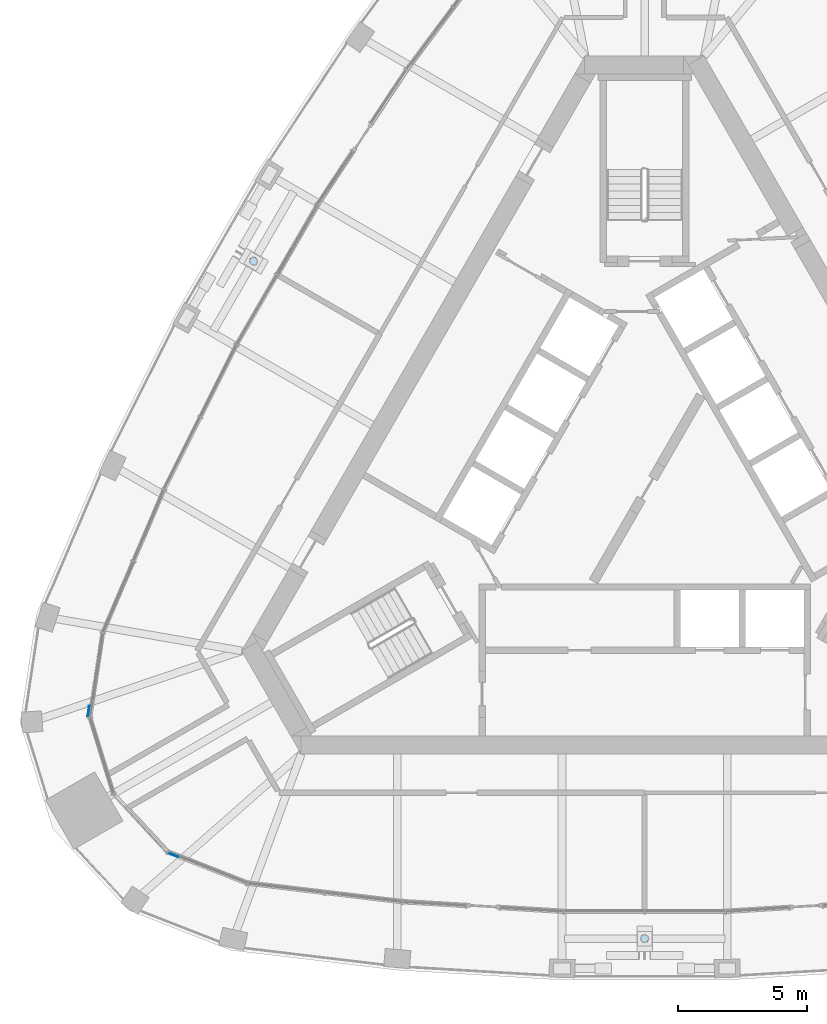
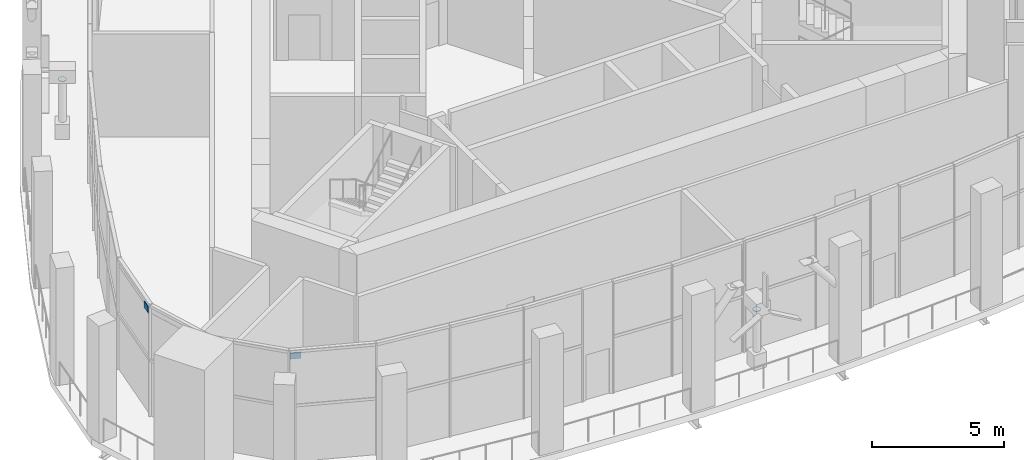
# One storey, part 10 of 23: 4 plates, 1 element without a shape of its own.
"""IFC4 building model written with IfcOpenShell, lengths in metres."""

from ifc_helpers import new_model, si_unit, direction, frame, origin, origin_2d, place, context, subcontext, project, spatial, polyline, circle, outline, extrude, material, layer, layer_set, material_profile, profile_set, type_object, element, aggregate, save


model = new_model("IFC4")

# Units and contexts
model_context = context("Model", 3, precision=1e-05, world=origin(), true_north=direction((0.0, 1.0)))
body_context = subcontext(model_context, "Body", "Model", "MODEL_VIEW")
ifc_project = project(units=[si_unit("LENGTHUNIT", "METRE"), si_unit("AREAUNIT", "SQUARE_METRE"), si_unit("VOLUMEUNIT", "CUBIC_METRE"), si_unit("PLANEANGLEUNIT", "RADIAN"), si_unit("MASSUNIT", "GRAM", prefix="KILO")], contexts=[model_context])

# Site, building, storey
site_placement = place(None, origin())
site = spatial("IfcSite", under=ifc_project, at=site_placement, CompositionType="ELEMENT")
building_placement = place(site_placement, origin())
building = spatial("IfcBuilding", under=site, at=building_placement, Name="Mestral Congress Tower", CompositionType="ELEMENT")
storey_placement = place(building_placement, frame((0.0, 0.0, 261.60009765625)))
storey = spatial("IfcBuildingStorey", under=building, at=storey_placement, Name="L61", CompositionType="ELEMENT", Elevation=261.60009765625)

# Curtain wall, plates
ifc_material_1 = material(Name="Clear low-emissivity double glazing", Category="glass")
curtain_wall_type = type_object("IfcCurtainWallType", Name="Facade control room curtain wall", PredefinedType="USERDEFINED", material=ifc_material_1)
curtain_wall_placement = place(storey_placement, origin())
curtain_wall = element("IfcCurtainWall", 1, at=curtain_wall_placement, inside=storey, type_object=curtain_wall_type, Name="Facade control room curtain wall corner 3", ObjectType="CURTAIN WALL", PredefinedType="USERDEFINED")
ifc_layer = layer(ifc_material_1, 0.028076171875)
ifc_layer_set = layer_set([ifc_layer], Name="Clear low-emissivity double glazing")
plate_type_1 = type_object("IfcPlateType", Name="Facade control room curtain wall panel", PredefinedType="CURTAIN_PANEL", material=ifc_layer_set)
plate_1_placement = place(storey_placement, frame((-21.597900390625, -8.89111328125, 5.02978515625), z_axis=(-0.988733798476, 0.149674751328, 0.001715974057), x_axis=(-0.001610369895, 0.000826753351, -0.999998361593)))
plate_1 = element("IfcPlate", 2, at=plate_1_placement, type_object=plate_type_1, Name="Control room glass unit", PredefinedType="CURTAIN_PANEL", context=body_context, shape_type="SweptSolid", body=[
    extrude(outline(polyline([(0.0, 0.0), (0.2919926972553171, -2.710505431213761e-20), (0.29223234772413986, -0.4158195807973802), (0.0002398523129025971, -0.41606097116405005), (0.0, 0.0)])), origin(), (0.0, 0.0, -1.0), 0.028076171875),
])
plate_2_placement = place(storey_placement, frame((-18.474853515625, -14.19775390625, 4.73779296875), z_axis=(-0.365106846759, -0.930963760385, 0.001862068869), x_axis=(0.00083611894, 0.00167223788, 0.999998252261)))
plate_2 = element("IfcPlate", 3, at=plate_2_placement, type_object=plate_type_1, Name="Control room glass unit", PredefinedType="CURTAIN_PANEL", context=body_context, shape_type="SweptSolid", body=[
    extrude(outline(polyline([(0.0, 0.0), (0.2919926978269475, -6.776263578034403e-21), (0.2920625104923494, -0.4159199004194347), (6.98126654018754e-05, -0.4159199004194347), (0.0, 0.0)])), origin(), (0.0, 0.0, -1.0), 0.028076171875),
])
aggregate(curtain_wall, [plate_1, plate_2])

# Plates
ifc_material_2 = material(Name="Steel S355", Category="steel")
ifc_material_profile = material_profile(ifc_material_2, circle(Radius=0.159912109375, at=origin_2d()), Name="Cap 320")
ifc_profile_set = profile_set([ifc_material_profile], Name="Steel S355")
plate_type_2 = type_object("IfcPlateType", Name="Slot turbine mast cap plate 320 x 20", PredefinedType="USERDEFINED", material=ifc_profile_set)
for number, where, z_axis, x_axis, name in (
    (4, (0.0, -17.5029296875, 2.579833984375), (0.0, 0.0, 1.0), (1.0, 0.0, 0.0), "Turbine 1 mast cap plate"),
    (5, (-15.157958984375, 8.75146484375, 2.579833984375), (0.0, 0.0, 1.0), (1.0, 0.0, 0.0), "Turbine 3 mast cap plate"),
):
    element("IfcPlate", number, at=place(storey_placement, frame(where, z_axis=z_axis, x_axis=x_axis)), inside=storey, type_object=plate_type_2, Name=name, ObjectType="MAST CAP PLATE", PredefinedType="USERDEFINED", context=body_context, shape_type="SweptSolid", body=[
        extrude(circle(Radius=0.159912109375, at=origin_2d()), origin(), (0.0, 0.0, 1.0), 0.02001953125),
    ])

save(model, "model.ifc")
